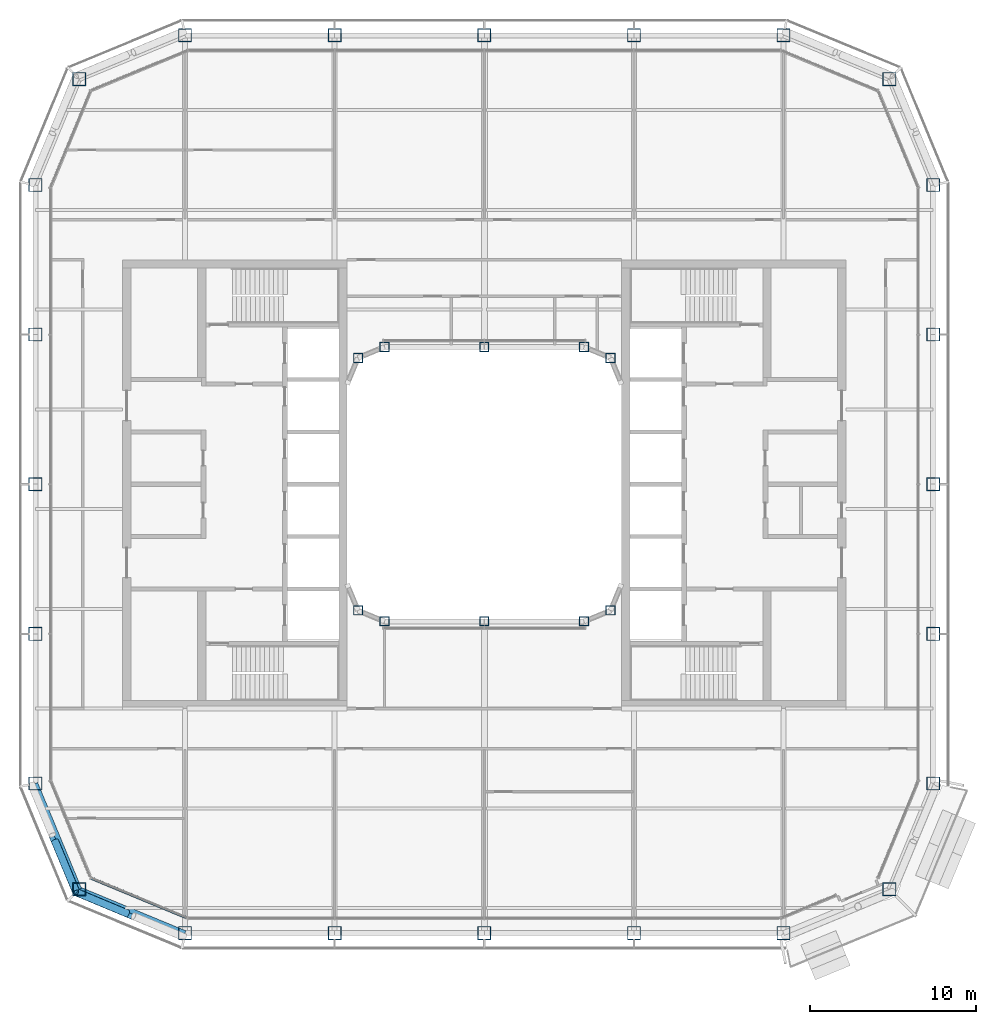
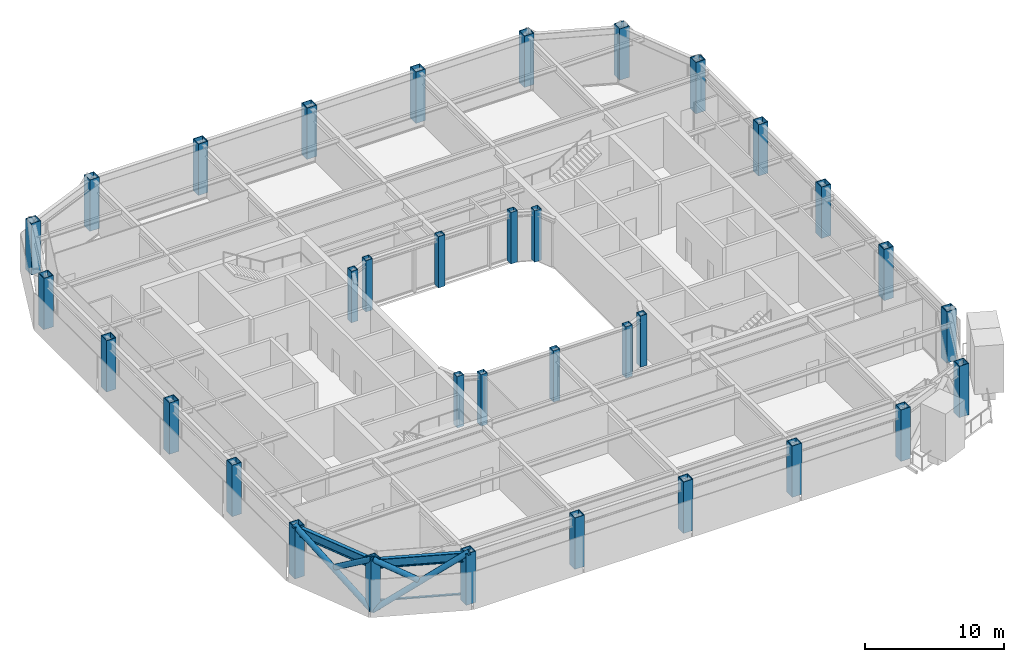
# One storey, part 1 of 22: 34 columns, 5 members, 2 beams, 1 element without a shape of its own.
"""IFC4 building model written with IfcOpenShell, lengths in metres."""

from ifc_helpers import new_model, si_unit, direction, frame, origin, origin_2d, place, context, subcontext, project, spatial, rectangle, hollow_rectangle, hollow_circle, i_section, extrude, material, layer, layer_set, material_profile, profile_set, type_object, element, aggregate, save


model = new_model("IFC4")

# Units and contexts
model_context = context("Model", 3, precision=1e-05, world=origin(), true_north=direction((0.0, 1.0)))
body_context = subcontext(model_context, "Body", "Model", "MODEL_VIEW")
ifc_project = project(units=[si_unit("LENGTHUNIT", "METRE"), si_unit("AREAUNIT", "SQUARE_METRE"), si_unit("VOLUMEUNIT", "CUBIC_METRE"), si_unit("PLANEANGLEUNIT", "RADIAN"), si_unit("MASSUNIT", "GRAM", prefix="KILO")], contexts=[model_context])

# Site, building, storey
site_placement = place(None, origin())
site = spatial("IfcSite", under=ifc_project, at=site_placement, CompositionType="ELEMENT")
building_placement = place(site_placement, origin())
building = spatial("IfcBuilding", under=site, at=building_placement, Name="Siwar Civic Tower", CompositionType="ELEMENT")
storey_placement = place(building_placement, frame((0.0, 0.0, 255.699951171875)))
storey = spatial("IfcBuildingStorey", under=building, at=storey_placement, Name="L55", CompositionType="ELEMENT", Elevation=255.699951171875)

# Columns
ifc_material_1 = material(Name="Steel S355", Category="steel")
ifc_material_profile_1 = material_profile(ifc_material_1, hollow_rectangle(XDim=0.800048828125, YDim=0.800048828125, WallThickness=0.044921875, at=origin_2d()), Name="BOX800x800x45")
ifc_profile_set_1 = profile_set([ifc_material_profile_1], Name="Steel S355")
column_type_1 = type_object("IfcColumnType", Name="STR-COL-BOX800x800x45", PredefinedType="COLUMN", material=ifc_profile_set_1)
for number, where, z_axis, x_axis, name in (
    (1, (-18.0, -27.0, 0.0), (0.0, 0.0, 1.0), (1.0, 0.0, 0.0), "L55/col/S-0"),
    (2, (-9.0, -27.0, 0.0), (0.0, 0.0, 1.0), (1.0, 0.0, 0.0), "L55/col/S-1"),
    (3, (0.0, -27.0, 0.0), (0.0, 0.0, 1.0), (1.0, 0.0, 0.0), "L55/col/S-2"),
    (4, (9.0, -27.0, 0.0), (0.0, 0.0, 1.0), (1.0, 0.0, 0.0), "L55/col/S-3"),
    (5, (18.0, -27.0, 0.0), (0.0, 0.0, 1.0), (1.0, 0.0, 0.0), "L55/col/SE1-0"),
    (6, (24.364013671875, -24.364013671875, 0.0), (0.0, 0.0, 1.0), (1.0, 0.0, 0.0), "L55/col/SE2-0"),
    (7, (27.0, -18.0, 0.0), (0.0, 0.0, 1.0), (1.0, 0.0, 0.0), "L55/col/E-0"),
    (8, (27.0, -9.0, 0.0), (0.0, 0.0, 1.0), (1.0, 0.0, 0.0), "L55/col/E-1"),
    (9, (27.0, 0.0, 0.0), (0.0, 0.0, 1.0), (1.0, 0.0, 0.0), "L55/col/E-2"),
    (10, (27.0, 9.0, 0.0), (0.0, 0.0, 1.0), (1.0, 0.0, 0.0), "L55/col/E-3"),
    (11, (27.0, 18.0, 0.0), (0.0, 0.0, 1.0), (1.0, 0.0, 0.0), "L55/col/NE1-0"),
    (12, (24.364013671875, 24.364013671875, 0.0), (0.0, 0.0, 1.0), (1.0, 0.0, 0.0), "L55/col/NE2-0"),
    (13, (18.0, 27.0, 0.0), (0.0, 0.0, 1.0), (1.0, 0.0, 0.0), "L55/col/N-0"),
    (14, (9.0, 27.0, 0.0), (0.0, 0.0, 1.0), (1.0, 0.0, 0.0), "L55/col/N-1"),
    (15, (0.0, 27.0, 0.0), (0.0, 0.0, 1.0), (1.0, 0.0, 0.0), "L55/col/N-2"),
    (16, (-9.0, 27.0, 0.0), (0.0, 0.0, 1.0), (1.0, 0.0, 0.0), "L55/col/N-3"),
    (17, (-18.0, 27.0, 0.0), (0.0, 0.0, 1.0), (1.0, 0.0, 0.0), "L55/col/NW1-0"),
    (18, (-24.364013671875, 24.364013671875, 0.0), (0.0, 0.0, 1.0), (1.0, 0.0, 0.0), "L55/col/NW2-0"),
    (19, (-27.0, 18.0, 0.0), (0.0, 0.0, 1.0), (1.0, 0.0, 0.0), "L55/col/W-0"),
    (20, (-27.0, 9.0, 0.0), (0.0, 0.0, 1.0), (1.0, 0.0, 0.0), "L55/col/W-1"),
    (21, (-27.0, 0.0, 0.0), (0.0, 0.0, 1.0), (1.0, 0.0, 0.0), "L55/col/W-2"),
    (22, (-27.0, -9.0, 0.0), (0.0, 0.0, 1.0), (1.0, 0.0, 0.0), "L55/col/W-3"),
    (23, (-27.0, -18.0, 0.0), (0.0, 0.0, 1.0), (1.0, 0.0, 0.0), "L55/col/SW1-0"),
    (24, (-24.364013671875, -24.364013671875, 0.0), (0.0, 0.0, 1.0), (1.0, 0.0, 0.0), "L55/col/SW2-0"),
):
    element("IfcColumn", number, at=place(storey_placement, frame(where, z_axis=z_axis, x_axis=x_axis)), inside=storey, type_object=column_type_1, Name=name, PredefinedType="COLUMN", context=body_context, shape_type="SweptSolid", body=[
        extrude(hollow_rectangle(XDim=0.800048828125, YDim=0.800048828125, WallThickness=0.044921875, at=origin_2d()), origin(), (0.0, 0.0, 1.0), 4.5),
    ])
ifc_material_2 = material(Name="Steel S355", Category="steel")
ifc_material_profile_2 = material_profile(ifc_material_2, hollow_rectangle(XDim=0.550048828125, YDim=0.550048828125, WallThickness=0.028076171875, at=origin_2d()), Name="BOX550x550x28")
ifc_profile_set_2 = profile_set([ifc_material_profile_2], Name="Steel S355")
column_type_2 = type_object("IfcColumnType", Name="STR-ICOL-BOX550x550x28", PredefinedType="COLUMN", material=ifc_profile_set_2)
for number, where, z_axis, x_axis, name in (
    (25, (-7.591064453125, -7.591064453125, 0.0), (0.0, 0.0, 1.0), (1.0, 0.0, 0.0), "L55/col/IS-0"),
    (26, (-6.0, -8.25, 0.0), (0.0, 0.0, 1.0), (1.0, 0.0, 0.0), "L55/col/IS-1"),
    (27, (0.0, -8.25, 0.0), (0.0, 0.0, 1.0), (1.0, 0.0, 0.0), "L55/col/IS-2"),
    (28, (6.0, -8.25, 0.0), (0.0, 0.0, 1.0), (1.0, 0.0, 0.0), "L55/col/IS-3"),
    (29, (7.591064453125, -7.591064453125, 0.0), (0.0, 0.0, 1.0), (1.0, 0.0, 0.0), "L55/col/IS-4"),
    (30, (-7.591064453125, 7.591064453125, 0.0), (0.0, 0.0, 1.0), (1.0, 0.0, 0.0), "L55/col/IN-0"),
    (31, (-6.0, 8.25, 0.0), (0.0, 0.0, 1.0), (1.0, 0.0, 0.0), "L55/col/IN-1"),
    (32, (0.0, 8.25, 0.0), (0.0, 0.0, 1.0), (1.0, 0.0, 0.0), "L55/col/IN-2"),
    (33, (6.0, 8.25, 0.0), (0.0, 0.0, 1.0), (1.0, 0.0, 0.0), "L55/col/IN-3"),
    (34, (7.591064453125, 7.591064453125, 0.0), (0.0, 0.0, 1.0), (1.0, 0.0, 0.0), "L55/col/IN-4"),
):
    element("IfcColumn", number, at=place(storey_placement, frame(where, z_axis=z_axis, x_axis=x_axis)), inside=storey, type_object=column_type_2, Name=name, PredefinedType="COLUMN", context=body_context, shape_type="SweptSolid", body=[
        extrude(hollow_rectangle(XDim=0.550048828125, YDim=0.550048828125, WallThickness=0.028076171875, at=origin_2d()), origin(), (0.0, 0.0, 1.0), 4.5),
    ])

# Curtain wall, member
ifc_material_3 = material(Name="Aluminium clad insulated panel", Category="aluminium")
ifc_layer = layer(ifc_material_3, 0.179931640625)
ifc_layer_set = layer_set([ifc_layer], Name="Aluminium clad insulated panel")
curtain_wall_type = type_object("IfcCurtainWallType", Name="ENV-CW-CX", PredefinedType="NOTDEFINED", material=ifc_layer_set)
curtain_wall_placement = place(storey_placement, origin())
curtain_wall = element("IfcCurtainWall", 35, at=curtain_wall_placement, inside=storey, type_object=curtain_wall_type, Name="Curtain wall C SW2", PredefinedType="NOTDEFINED")
ifc_material_4 = material(Name="Aluminium 6063-T6", Category="aluminium")
ifc_material_profile_3 = material_profile(ifc_material_4, rectangle(XDim=0.179931640625, YDim=0.10009765625, at=origin_2d()), Name="AL 180x100")
ifc_profile_set_3 = profile_set([ifc_material_profile_3], Name="Aluminium 6063-T6")
member_type_1 = type_object("IfcMemberType", Name="ENV-TRANSOM-C", PredefinedType="USERDEFINED", material=ifc_profile_set_3)
member_1_placement = place(storey_placement, frame((-23.6474609375, -23.6865234375, 0.050048828125), z_axis=(0.923876246063, -0.382691366456, 0.0), x_axis=(0.382691366456, 0.923876246063, 0.0)))
member_1 = element("IfcMember", 36, at=member_1_placement, type_object=member_type_1, Name="Transom C SW2 1", ObjectType="TRANSOM", PredefinedType="USERDEFINED", context=body_context, shape_type="SweptSolid", body=[
    extrude(rectangle(XDim=0.179931640625, YDim=0.10009765625, at=origin_2d()), origin(), (0.0, 0.0, 1.0), 6.20166015625),
])
aggregate(curtain_wall, [member_1])

# Members
ifc_material_5 = material(Name="Steel S355", Category="steel")
ifc_material_profile_4 = material_profile(ifc_material_5, hollow_circle(Radius=0.228515625, WallThickness=0.02001953125, at=origin_2d()), Name="CHS457x20")
ifc_profile_set_4 = profile_set([ifc_material_profile_4], Name="Steel S355")
member_type_2 = type_object("IfcMemberType", Name="STR-BR-CHS457x20", PredefinedType="BRACE", material=ifc_profile_set_4)
member_2_placement = place(storey_placement, frame((-24.540771484375, -24.540771484375, 0.0), z_axis=(0.777554562952, -0.323905527954, 0.538975055633), x_axis=(0.384538969033, 0.923108759191, 0.0)))
element("IfcMember", 37, at=member_2_placement, inside=storey, type_object=member_type_2, Name="L55/brc/CSW1-15-0-1", PredefinedType="BRACE", context=body_context, shape_type="SweptSolid", body=[
    extrude(hollow_circle(Radius=0.228515625, WallThickness=0.02001953125, at=origin_2d()), origin(), (0.0, 0.0, 1.0), 8.34912109375),
])
member_3_placement = place(storey_placement, frame((-21.486572265625, -25.81298828125, 2.383056640625), z_axis=(-0.777572496853, 0.323895306243, 0.538955325357), x_axis=(-0.38452107079, -0.92311621485, 0.0)))
element("IfcMember", 38, at=member_3_placement, inside=storey, type_object=member_type_2, Name="L55/brc/CSW1-15-0-3", PredefinedType="BRACE", context=body_context, shape_type="SweptSolid", body=[
    extrude(hollow_circle(Radius=0.228515625, WallThickness=0.02001953125, at=origin_2d()), origin(), (0.0, 0.0, 1.0), 3.927978515625),
])
member_4_placement = place(storey_placement, frame((-24.540771484375, -24.540771484375, 0.0), z_axis=(-0.323905527954, 0.777554562952, 0.538975055633), x_axis=(-0.923108759191, -0.384538969033, 0.0)))
element("IfcMember", 39, at=member_4_placement, inside=storey, type_object=member_type_2, Name="L55/brc/CSW1-15-0-0", PredefinedType="BRACE", context=body_context, shape_type="SweptSolid", body=[
    extrude(hollow_circle(Radius=0.228515625, WallThickness=0.02001953125, at=origin_2d()), origin(), (0.0, 0.0, 1.0), 8.34912109375),
])
member_5_placement = place(storey_placement, frame((-25.81298828125, -21.486572265625, 2.383056640625), z_axis=(0.323895306243, -0.777572496853, 0.538955325357), x_axis=(0.92311621485, 0.38452107079, 0.0)))
element("IfcMember", 40, at=member_5_placement, inside=storey, type_object=member_type_2, Name="L55/brc/CSW1-15-0-5", PredefinedType="BRACE", context=body_context, shape_type="SweptSolid", body=[
    extrude(hollow_circle(Radius=0.228515625, WallThickness=0.02001953125, at=origin_2d()), origin(), (0.0, 0.0, 1.0), 3.927978515625),
])

# Beams
ifc_material_6 = material(Name="Steel S355", Category="steel")
ifc_material_profile_5 = material_profile(ifc_material_6, i_section(OverallWidth=0.300048828125, OverallDepth=0.800048828125, WebThickness=0.017578125, FlangeThickness=0.032958984375, FilletRadius=0.030029296875, at=origin_2d()), Name="HEB800")
ifc_profile_set_5 = profile_set([ifc_material_profile_5], Name="Steel S355")
beam_type = type_object("IfcBeamType", Name="STR-SB-HEB800", PredefinedType="BEAM", material=ifc_profile_set_5)
for number, where, z_axis, x_axis, name in (
    (41, (-27.0, -18.0, 3.949951171875), (0.382674207535, -0.923883353507, 0.0), (0.923883353507, 0.382674207535, 0.0), "L55/bm/SSW1-0"),
    (42, (-24.364013671875, -24.364013671875, 3.949951171875), (0.923883353507, -0.382674207535, 0.0), (0.382674207535, 0.923883353507, 0.0), "L55/bm/SSW2-0"),
):
    element("IfcBeam", number, at=place(storey_placement, frame(where, z_axis=z_axis, x_axis=x_axis)), inside=storey, type_object=beam_type, Name=name, PredefinedType="BEAM", context=body_context, shape_type="SweptSolid", body=[
        extrude(i_section(OverallWidth=0.300048828125, OverallDepth=0.800048828125, WebThickness=0.017578125, FlangeThickness=0.032958984375, FilletRadius=0.030029296875, at=origin_2d()), origin(), (0.0, 0.0, 1.0), 6.888427734375),
    ])

save(model, "model.ifc")
